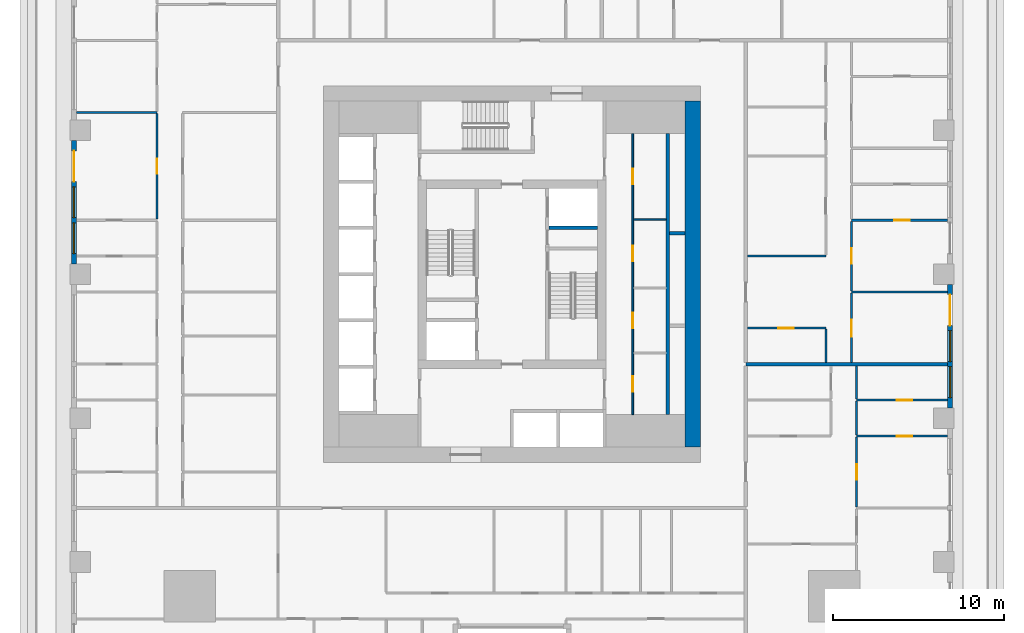
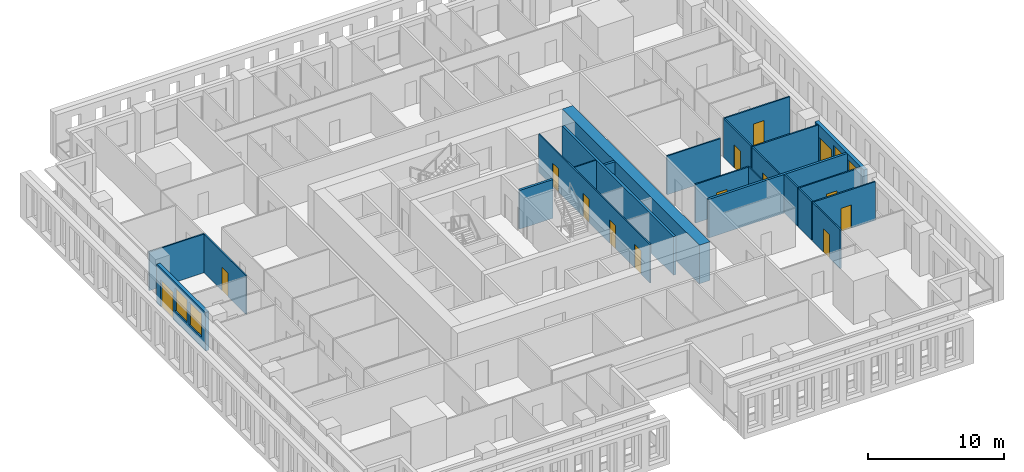
# One storey, part 6 of 15: 23 walls, 14 doors, 4 windows, 18 openings.
"""IFC4 building model written with IfcOpenShell, lengths in metres."""

from ifc_helpers import new_model, si_unit, direction, frame, frame_2d, origin, place, context, subcontext, project, spatial, rectangle, extrude, material, layer, layer_set, type_object, element, fill, save


model = new_model("IFC4")

# Units and contexts
model_context = context("Model", 3, precision=1e-05, world=origin(), true_north=direction((0.0, 1.0)))
body_context = subcontext(model_context, "Body", "Model", "MODEL_VIEW")
ifc_project = project(units=[si_unit("LENGTHUNIT", "METRE"), si_unit("AREAUNIT", "SQUARE_METRE"), si_unit("VOLUMEUNIT", "CUBIC_METRE"), si_unit("PLANEANGLEUNIT", "RADIAN"), si_unit("MASSUNIT", "GRAM", prefix="KILO")], contexts=[model_context])

# Site, building, storey
site_placement = place(None, origin())
site = spatial("IfcSite", under=ifc_project, at=site_placement, CompositionType="ELEMENT")
building_placement = place(site_placement, origin())
building = spatial("IfcBuilding", under=site, at=building_placement, Name="Khepri Terraces", CompositionType="ELEMENT")
storey_placement = place(building_placement, frame((0.0, 0.0, 30.89990234375)))
storey = spatial("IfcBuildingStorey", under=building, at=storey_placement, Name="L06", CompositionType="ELEMENT", Elevation=30.89990234375)

# Walls
ifc_material_1 = material(Name="Concrete C80/95", Category="concrete")
ifc_layer_1 = layer(ifc_material_1, 0.199951171875, Name="Concrete C80/95", Category="concrete")
ifc_layer_set_1 = layer_set([ifc_layer_1], Name="Concrete C80/95")
wall_type_1 = type_object("IfcWallType", Name="Core wall 200 C80/95", PredefinedType="SHEAR", material=ifc_layer_set_1)
wall_1_placement = place(storey_placement, frame((9.10009765625, -8.199951171875, 0.0), z_axis=(0.0, 0.0, 1.0), x_axis=(0.0, 1.0, 0.0)))
element("IfcWall", 1, at=wall_1_placement, inside=storey, type_object=wall_type_1, Name="Core wall SH05 L06", PredefinedType="SHEAR", context=body_context, shape_type="SweptSolid", body=[
    extrude(rectangle(XDim=16.39990234375, YDim=0.199951171875, at=frame_2d((8.199951171875, 0.0))), origin(), (0.0, 0.0, 1.0), 3.47998046875),
])
wall_2_placement = place(storey_placement, frame((9.199951171875, 2.39990234375, 0.0), z_axis=(0.0, 0.0, 1.0), x_axis=(1.0, 0.0, 0.0)))
element("IfcWall", 2, at=wall_2_placement, inside=storey, type_object=wall_type_1, Name="Core wall SH16 L06", PredefinedType="SHEAR", context=body_context, shape_type="SweptSolid", body=[
    extrude(rectangle(XDim=0.900146484375, YDim=0.199951171875, at=frame_2d((0.4501953125, 0.0))), origin(), (0.0, 0.0, 1.0), 3.47998046875),
])
wall_3_placement = place(storey_placement, frame((2.14990234375, 2.699951171875, 0.0), z_axis=(0.0, 0.0, 1.0), x_axis=(1.0, 0.0, 0.0)))
element("IfcWall", 3, at=wall_3_placement, inside=storey, type_object=wall_type_1, Name="Core wall SH18 L06", PredefinedType="SHEAR", context=body_context, shape_type="SweptSolid", body=[
    extrude(rectangle(XDim=2.85009765625, YDim=0.199951171875, at=frame_2d((1.425048828125, 0.0))), origin(), (0.0, 0.0, 1.0), 3.47998046875),
])
ifc_layer_2 = layer(ifc_material_1, 0.89990234375, Name="Concrete C80/95", Category="concrete")
ifc_layer_set_2 = layer_set([ifc_layer_2], Name="Concrete C80/95")
wall_type_2 = type_object("IfcWallType", Name="Core wall 900 C80/95", PredefinedType="SHEAR", material=ifc_layer_set_2)
wall_4_placement = place(storey_placement, frame((10.550048828125, -10.10009765625, 0.0), z_axis=(0.0, 0.0, 1.0), x_axis=(0.0, 1.0, 0.0)))
element("IfcWall", 4, at=wall_4_placement, inside=storey, type_object=wall_type_2, Name="Core wall OW-E L06", PredefinedType="SHEAR", context=body_context, shape_type="SweptSolid", body=[
    extrude(rectangle(XDim=20.2001953125, YDim=0.89990234375, at=frame_2d((10.10009765625, 0.0))), origin(), (0.0, 0.0, 1.0), 3.47998046875),
])

# Wall, openings, doors
ifc_material_2 = material(Name="Fire-rated gypsum board partition")
ifc_layer_3 = layer(ifc_material_2, 0.10009765625, Name="Fire-rated gypsum board partition")
ifc_layer_set_3 = layer_set([ifc_layer_3], Name="Fire-rated gypsum board partition")
wall_type_3 = type_object("IfcWallType", Name="WL-CORE-PART-100", PredefinedType="PARTITIONING", material=ifc_layer_set_3)
wall_5_placement = place(storey_placement, frame((7.050048828125, -8.199951171875, 0.0), z_axis=(0.0, 0.0, 1.0), x_axis=(0.0, 1.0, 0.0)))
wall_5 = element("IfcWall", 5, at=wall_5_placement, inside=storey, type_object=wall_type_3, Name="Core partition PT02 L06", PredefinedType="PARTITIONING", context=body_context, shape_type="SweptSolid", body=[
    extrude(rectangle(XDim=16.39990234375, YDim=0.10009765625, at=frame_2d((8.199951171875, 0.0))), origin(), (0.0, 0.0, 1.0), 3.47998046875),
])
opening_1_placement = place(wall_5_placement, frame((1.35009765625, 0.0, 0.0)))
opening_1 = element("IfcOpeningElement", 6, at=opening_1_placement, cuts=wall_5, Name="Opening L06-C22", PredefinedType="OPENING", context=body_context, shape_type="SweptSolid", body=[
    extrude(rectangle(XDim=0.89990234375, YDim=2.10009765625, at=frame_2d((0.449951171875, 1.050048828125))), frame((0.0, 0.06005859375, 0.0), z_axis=(0.0, -1.0, 0.0), x_axis=(1.0, 0.0, 0.0)), (0.0, 0.0, 1.0), 0.1201171875),
])
opening_2_placement = place(wall_5_placement, frame((5.050048828125, 0.0, 0.0)))
opening_2 = element("IfcOpeningElement", 7, at=opening_2_placement, cuts=wall_5, Name="Opening L06-C23", PredefinedType="OPENING", context=body_context, shape_type="SweptSolid", body=[
    extrude(rectangle(XDim=0.89990234375, YDim=2.10009765625, at=frame_2d((0.449951171875, 1.050048828125))), frame((0.0, 0.06005859375, 0.0), z_axis=(0.0, -1.0, 0.0), x_axis=(1.0, 0.0, 0.0)), (0.0, 0.0, 1.0), 0.1201171875),
])
opening_3_placement = place(wall_5_placement, frame((8.949951171875, 0.0, 0.0)))
opening_3 = element("IfcOpeningElement", 8, at=opening_3_placement, cuts=wall_5, Name="Opening L06-C24", PredefinedType="OPENING", context=body_context, shape_type="SweptSolid", body=[
    extrude(rectangle(XDim=0.89990234375, YDim=2.10009765625, at=frame_2d((0.449951171875, 1.050048828125))), frame((0.0, 0.06005859375, 0.0), z_axis=(0.0, -1.0, 0.0), x_axis=(1.0, 0.0, 0.0)), (0.0, 0.0, 1.0), 0.1201171875),
])
opening_4_placement = place(wall_5_placement, frame((13.449951171875, 0.0, 0.0)))
opening_4 = element("IfcOpeningElement", 9, at=opening_4_placement, cuts=wall_5, Name="Opening L06-C25", PredefinedType="OPENING", context=body_context, shape_type="SweptSolid", body=[
    extrude(rectangle(XDim=0.89990234375, YDim=2.10009765625, at=frame_2d((0.449951171875, 1.050048828125))), frame((0.0, 0.06005859375, 0.0), z_axis=(0.0, -1.0, 0.0), x_axis=(1.0, 0.0, 0.0)), (0.0, 0.0, 1.0), 0.1201171875),
])
ifc_material_3 = material(Name="Painted steel", Category="steel")
door_type_1 = type_object("IfcDoorType", Name="DR-CORE-SERVICE-900", OperationType="NOTDEFINED", PredefinedType="DOOR", material=ifc_material_3)
door_1_placement = place(opening_1_placement, frame((0.89990234375, 0.0, 0.0), z_axis=(0.0, 0.0, 1.0), x_axis=(-1.0, 0.0, 0.0)))
door_1 = element("IfcDoor", 10, at=door_1_placement, inside=storey, type_object=door_type_1, Name="Service room door L06-C22", OperationType="SINGLE_SWING_RIGHT", OverallHeight=2.10009765625, OverallWidth=0.89990234375, PredefinedType="DOOR", context=body_context, shape_type="SweptSolid", body=[
    extrude(rectangle(XDim=0.89990234375, YDim=2.10009765625, at=frame_2d((0.449951171875, 1.050048828125))), frame((0.0, 0.02490234375, 0.0), z_axis=(0.0, -1.0, 0.0), x_axis=(1.0, 0.0, 0.0)), (0.0, 0.0, 1.0), 0.050048828125),
])
fill(opening_1, door_1)
door_2_placement = place(opening_2_placement, frame((0.89990234375, 0.0, 0.0), z_axis=(0.0, 0.0, 1.0), x_axis=(-1.0, 0.0, 0.0)))
door_2 = element("IfcDoor", 11, at=door_2_placement, inside=storey, type_object=door_type_1, Name="Service room door L06-C23", OperationType="SINGLE_SWING_RIGHT", OverallHeight=2.10009765625, OverallWidth=0.89990234375, PredefinedType="DOOR", context=body_context, shape_type="SweptSolid", body=[
    extrude(rectangle(XDim=0.89990234375, YDim=2.10009765625, at=frame_2d((0.449951171875, 1.050048828125))), frame((0.0, 0.02490234375, 0.0), z_axis=(0.0, -1.0, 0.0), x_axis=(1.0, 0.0, 0.0)), (0.0, 0.0, 1.0), 0.050048828125),
])
fill(opening_2, door_2)
door_3_placement = place(opening_3_placement, frame((0.89990234375, 0.0, 0.0), z_axis=(0.0, 0.0, 1.0), x_axis=(-1.0, 0.0, 0.0)))
door_3 = element("IfcDoor", 12, at=door_3_placement, inside=storey, type_object=door_type_1, Name="Service room door L06-C24", OperationType="SINGLE_SWING_LEFT", OverallHeight=2.10009765625, OverallWidth=0.89990234375, PredefinedType="DOOR", context=body_context, shape_type="SweptSolid", body=[
    extrude(rectangle(XDim=0.89990234375, YDim=2.10009765625, at=frame_2d((0.449951171875, 1.050048828125))), frame((0.0, 0.02490234375, 0.0), z_axis=(0.0, -1.0, 0.0), x_axis=(1.0, 0.0, 0.0)), (0.0, 0.0, 1.0), 0.050048828125),
])
fill(opening_3, door_3)
door_4_placement = place(opening_4_placement, frame((0.89990234375, 0.0, 0.0), z_axis=(0.0, 0.0, 1.0), x_axis=(-1.0, 0.0, 0.0)))
door_4 = element("IfcDoor", 13, at=door_4_placement, inside=storey, type_object=door_type_1, Name="Service room door L06-C25", OperationType="SINGLE_SWING_LEFT", OverallHeight=2.10009765625, OverallWidth=0.89990234375, PredefinedType="DOOR", context=body_context, shape_type="SweptSolid", body=[
    extrude(rectangle(XDim=0.89990234375, YDim=2.10009765625, at=frame_2d((0.449951171875, 1.050048828125))), frame((0.0, 0.02490234375, 0.0), z_axis=(0.0, -1.0, 0.0), x_axis=(1.0, 0.0, 0.0)), (0.0, 0.0, 1.0), 0.050048828125),
])
fill(opening_4, door_4)

# Walls
wall_6_placement = place(storey_placement, frame((7.10009765625, 3.199951171875, 0.0), z_axis=(0.0, 0.0, 1.0), x_axis=(1.0, 0.0, 0.0)))
element("IfcWall", 14, at=wall_6_placement, inside=storey, type_object=wall_type_3, Name="Core partition PT06 L06", PredefinedType="PARTITIONING", context=body_context, shape_type="SweptSolid", body=[
    extrude(rectangle(XDim=1.89990234375, YDim=0.10009765625, at=frame_2d((0.949951171875, 0.0))), origin(), (0.0, 0.0, 1.0), 3.47998046875),
])
ifc_material_4 = material(Name="Fire-rated gypsum plasterboard partition, mineral wool")
ifc_layer_4 = layer(ifc_material_4, 0.199951171875, Name="Fire-rated gypsum plasterboard partition, mineral wool")
ifc_layer_set_4 = layer_set([ifc_layer_4], Name="Fire-rated gypsum plasterboard partition, mineral wool")
wall_type_4 = type_object("IfcWallType", Name="WL-CORR-200", PredefinedType="PARTITIONING", material=ifc_layer_set_4)
wall_7_placement = place(storey_placement, frame((13.64990234375, -5.25, 0.0), z_axis=(0.0, 0.0, 1.0), x_axis=(1.0, 0.0, 0.0)))
element("IfcWall", 15, at=wall_7_placement, inside=storey, type_object=wall_type_4, Name="Partition P-046 L06", PredefinedType="PARTITIONING", context=body_context, shape_type="SweptSolid", body=[
    extrude(rectangle(XDim=11.77001953125, YDim=0.199951171875, at=frame_2d((5.885009765625, 0.0))), origin(), (0.0, 0.0, 1.0), 3.47998046875),
])

# Wall, openings, door, windows
ifc_material_5 = material(Name="Precast concrete C50/60 warm stone", Category="masonry")
ifc_layer_5 = layer(ifc_material_5, 0.300048828125, Name="Precast concrete C50/60 warm stone", Category="masonry")
ifc_layer_set_5 = layer_set([ifc_layer_5], Name="Precast concrete C50/60 warm stone")
wall_type_5 = type_object("IfcWallType", Name="WL-EXT-PRECAST-300", PredefinedType="STANDARD", material=ifc_layer_set_5)
wall_8_placement = place(storey_placement, frame((25.570068359375, -7.800048828125, 0.0), z_axis=(0.0, 0.0, 1.0), x_axis=(0.0, 1.0, 0.0)))
wall_8 = element("IfcWall", 16, at=wall_8_placement, inside=storey, type_object=wall_type_5, Name="External wall L06 E", PredefinedType="STANDARD", context=body_context, shape_type="SweptSolid", body=[
    extrude(rectangle(XDim=7.199951171875, YDim=0.300048828125, at=frame_2d((3.60009765625, 0.0))), origin(), (0.0, 0.0, 1.0), 3.47998046875),
])
opening_5_placement = place(wall_8_placement, frame((0.60009765625, 0.0, 0.89990234375)))
opening_5 = element("IfcOpeningElement", 17, at=opening_5_placement, cuts=wall_8, Name="Opening W1", PredefinedType="OPENING", context=body_context, shape_type="SweptSolid", body=[
    extrude(rectangle(XDim=1.800048828125, YDim=2.10009765625, at=frame_2d((0.89990234375, 1.050048828125))), frame((0.0, 0.16015625, 0.0), z_axis=(0.0, -1.0, 0.0), x_axis=(1.0, 0.0, 0.0)), (0.0, 0.0, 1.0), 0.320068359375),
])
opening_6_placement = place(wall_8_placement, frame((2.699951171875, 0.0, 0.89990234375)))
opening_6 = element("IfcOpeningElement", 18, at=opening_6_placement, cuts=wall_8, Name="Opening W1", PredefinedType="OPENING", context=body_context, shape_type="SweptSolid", body=[
    extrude(rectangle(XDim=1.800048828125, YDim=2.10009765625, at=frame_2d((0.89990234375, 1.050048828125))), frame((0.0, 0.16015625, 0.0), z_axis=(0.0, -1.0, 0.0), x_axis=(1.0, 0.0, 0.0)), (0.0, 0.0, 1.0), 0.320068359375),
])
opening_7_placement = place(wall_8_placement, frame((4.800048828125, 0.0, 0.0)))
opening_7 = element("IfcOpeningElement", 19, at=opening_7_placement, cuts=wall_8, Name="Opening ED-L06-04", PredefinedType="OPENING", context=body_context, shape_type="SweptSolid", body=[
    extrude(rectangle(XDim=1.800048828125, YDim=2.39990234375, at=frame_2d((0.89990234375, 1.199951171875))), frame((0.0, 0.16015625, 0.0), z_axis=(0.0, -1.0, 0.0), x_axis=(1.0, 0.0, 0.0)), (0.0, 0.0, 1.0), 0.320068359375),
])
ifc_material_6 = material(Name="Anodised aluminium bronze glazed door", Category="aluminium")
door_type_2 = type_object("IfcDoorType", Name="DR-BAL-SLIDE-1800x2400", OperationType="NOTDEFINED", PredefinedType="DOOR", material=ifc_material_6)
door_5_placement = place(opening_7_placement, origin())
door_5 = element("IfcDoor", 20, at=door_5_placement, inside=storey, type_object=door_type_2, Name="Balcony door L06 E", OperationType="SLIDING_TO_RIGHT", OverallHeight=2.39990234375, OverallWidth=1.800048828125, PredefinedType="DOOR", context=body_context, shape_type="SweptSolid", body=[
    extrude(rectangle(XDim=1.800048828125, YDim=2.39990234375, at=frame_2d((0.89990234375, 1.199951171875))), frame((0.0, 0.02490234375, 0.0), z_axis=(0.0, -1.0, 0.0), x_axis=(1.0, 0.0, 0.0)), (0.0, 0.0, 1.0), 0.050048828125),
])
fill(opening_7, door_5)
ifc_material_7 = material(Name="Clear glass", Category="glass")
window_type = type_object("IfcWindowType", Name="WIN-RES-1800x2100", PartitioningType="SINGLE_PANEL", PredefinedType="WINDOW", material=ifc_material_7)
window_1_placement = place(opening_5_placement, origin())
window_1 = element("IfcWindow", 21, at=window_1_placement, inside=storey, type_object=window_type, Name="Window L06 E", OverallHeight=2.10009765625, OverallWidth=1.800048828125, PartitioningType="SINGLE_PANEL", PredefinedType="WINDOW", context=body_context, shape_type="SweptSolid", body=[
    extrude(rectangle(XDim=1.800048828125, YDim=2.10009765625, at=frame_2d((0.89990234375, 1.050048828125))), frame((0.0, 0.030029296875, 0.0), z_axis=(0.0, -1.0, 0.0), x_axis=(1.0, 0.0, 0.0)), (0.0, 0.0, 1.0), 0.06005859375),
])
fill(opening_5, window_1)
window_2_placement = place(opening_6_placement, origin())
window_2 = element("IfcWindow", 22, at=window_2_placement, inside=storey, type_object=window_type, Name="Window L06 E", OverallHeight=2.10009765625, OverallWidth=1.800048828125, PartitioningType="SINGLE_PANEL", PredefinedType="WINDOW", context=body_context, shape_type="SweptSolid", body=[
    extrude(rectangle(XDim=1.800048828125, YDim=2.10009765625, at=frame_2d((0.89990234375, 1.050048828125))), frame((0.0, 0.030029296875, 0.0), z_axis=(0.0, -1.0, 0.0), x_axis=(1.0, 0.0, 0.0)), (0.0, 0.0, 1.0), 0.06005859375),
])
fill(opening_6, window_2)

wall_9_placement = place(storey_placement, frame((-25.570068359375, 7.800048828125, 0.0), z_axis=(0.0, 0.0, 1.0), x_axis=(0.0, -1.0, 0.0)))
wall_9 = element("IfcWall", 23, at=wall_9_placement, inside=storey, type_object=wall_type_5, Name="External wall L06 W", PredefinedType="STANDARD", context=body_context, shape_type="SweptSolid", body=[
    extrude(rectangle(XDim=7.199951171875, YDim=0.300048828125, at=frame_2d((3.60009765625, 0.0))), origin(), (0.0, 0.0, 1.0), 3.47998046875),
])
opening_8_placement = place(wall_9_placement, frame((0.60009765625, 0.0, 0.0)))
opening_8 = element("IfcOpeningElement", 24, at=opening_8_placement, cuts=wall_9, Name="Opening ED-L06-15", PredefinedType="OPENING", context=body_context, shape_type="SweptSolid", body=[
    extrude(rectangle(XDim=1.800048828125, YDim=2.39990234375, at=frame_2d((0.89990234375, 1.199951171875))), frame((0.0, 0.16015625, 0.0), z_axis=(0.0, -1.0, 0.0), x_axis=(1.0, 0.0, 0.0)), (0.0, 0.0, 1.0), 0.320068359375),
])
opening_9_placement = place(wall_9_placement, frame((2.699951171875, 0.0, 0.89990234375)))
opening_9 = element("IfcOpeningElement", 25, at=opening_9_placement, cuts=wall_9, Name="Opening W1", PredefinedType="OPENING", context=body_context, shape_type="SweptSolid", body=[
    extrude(rectangle(XDim=1.800048828125, YDim=2.10009765625, at=frame_2d((0.89990234375, 1.050048828125))), frame((0.0, 0.16015625, 0.0), z_axis=(0.0, -1.0, 0.0), x_axis=(1.0, 0.0, 0.0)), (0.0, 0.0, 1.0), 0.320068359375),
])
opening_10_placement = place(wall_9_placement, frame((4.800048828125, 0.0, 0.89990234375)))
opening_10 = element("IfcOpeningElement", 26, at=opening_10_placement, cuts=wall_9, Name="Opening W1", PredefinedType="OPENING", context=body_context, shape_type="SweptSolid", body=[
    extrude(rectangle(XDim=1.800048828125, YDim=2.10009765625, at=frame_2d((0.89990234375, 1.050048828125))), frame((0.0, 0.16015625, 0.0), z_axis=(0.0, -1.0, 0.0), x_axis=(1.0, 0.0, 0.0)), (0.0, 0.0, 1.0), 0.320068359375),
])
door_6_placement = place(opening_8_placement, origin())
door_6 = element("IfcDoor", 27, at=door_6_placement, inside=storey, type_object=door_type_2, Name="Balcony door L06 W", OperationType="SLIDING_TO_LEFT", OverallHeight=2.39990234375, OverallWidth=1.800048828125, PredefinedType="DOOR", context=body_context, shape_type="SweptSolid", body=[
    extrude(rectangle(XDim=1.800048828125, YDim=2.39990234375, at=frame_2d((0.89990234375, 1.199951171875))), frame((0.0, 0.02490234375, 0.0), z_axis=(0.0, -1.0, 0.0), x_axis=(1.0, 0.0, 0.0)), (0.0, 0.0, 1.0), 0.050048828125),
])
fill(opening_8, door_6)
window_3_placement = place(opening_9_placement, origin())
window_3 = element("IfcWindow", 28, at=window_3_placement, inside=storey, type_object=window_type, Name="Window L06 W", OverallHeight=2.10009765625, OverallWidth=1.800048828125, PartitioningType="SINGLE_PANEL", PredefinedType="WINDOW", context=body_context, shape_type="SweptSolid", body=[
    extrude(rectangle(XDim=1.800048828125, YDim=2.10009765625, at=frame_2d((0.89990234375, 1.050048828125))), frame((0.0, 0.030029296875, 0.0), z_axis=(0.0, -1.0, 0.0), x_axis=(1.0, 0.0, 0.0)), (0.0, 0.0, 1.0), 0.06005859375),
])
fill(opening_9, window_3)
window_4_placement = place(opening_10_placement, origin())
window_4 = element("IfcWindow", 29, at=window_4_placement, inside=storey, type_object=window_type, Name="Window L06 W", OverallHeight=2.10009765625, OverallWidth=1.800048828125, PartitioningType="SINGLE_PANEL", PredefinedType="WINDOW", context=body_context, shape_type="SweptSolid", body=[
    extrude(rectangle(XDim=1.800048828125, YDim=2.10009765625, at=frame_2d((0.89990234375, 1.050048828125))), frame((0.0, 0.030029296875, 0.0), z_axis=(0.0, -1.0, 0.0), x_axis=(1.0, 0.0, 0.0)), (0.0, 0.0, 1.0), 0.06005859375),
])
fill(opening_10, window_4)

# Wall, opening, door
ifc_material_8 = material(Name="Gypsum plasterboard partition")
ifc_layer_6 = layer(ifc_material_8, 0.1201171875, Name="Gypsum plasterboard partition")
ifc_layer_set_6 = layer_set([ifc_layer_6], Name="Gypsum plasterboard partition")
wall_type_6 = type_object("IfcWallType", Name="WL-PART-120", PredefinedType="PARTITIONING", material=ifc_layer_set_6)
wall_10_placement = place(storey_placement, frame((20.1201171875, -13.590087890625, 0.0), z_axis=(0.0, 0.0, 1.0), x_axis=(0.0, 1.0, 0.0)))
wall_10 = element("IfcWall", 30, at=wall_10_placement, inside=storey, type_object=wall_type_6, Name="Partition P-024 L06", PredefinedType="PARTITIONING", context=body_context, shape_type="SweptSolid", body=[
    extrude(rectangle(XDim=4.080078125, YDim=0.1201171875, at=frame_2d((2.0400390625, 0.0))), origin(), (0.0, 0.0, 1.0), 3.47998046875),
])
opening_11_placement = place(wall_10_placement, frame((1.590087890625, 0.0, 0.0)))
opening_11 = element("IfcOpeningElement", 31, at=opening_11_placement, cuts=wall_10, Name="Opening D3", PredefinedType="OPENING", context=body_context, shape_type="SweptSolid", body=[
    extrude(rectangle(XDim=0.89990234375, YDim=2.10009765625, at=frame_2d((0.449951171875, 1.050048828125))), frame((0.0, 0.070068359375, 0.0), z_axis=(0.0, -1.0, 0.0), x_axis=(1.0, 0.0, 0.0)), (0.0, 0.0, 1.0), 0.14013671875),
])
ifc_material_9 = material(Name="Timber door leaf", Category="wood")
door_type_3 = type_object("IfcDoorType", Name="DR-INT-900", OperationType="NOTDEFINED", PredefinedType="DOOR", material=ifc_material_9)
door_7_placement = place(opening_11_placement, frame((0.89990234375, 0.0, 0.0), z_axis=(0.0, 0.0, 1.0), x_axis=(-1.0, 0.0, 0.0)))
door_7 = element("IfcDoor", 32, at=door_7_placement, inside=storey, type_object=door_type_3, Name="Door Master Bedroom", OperationType="SINGLE_SWING_RIGHT", OverallHeight=2.10009765625, OverallWidth=0.89990234375, PredefinedType="DOOR", context=body_context, shape_type="SweptSolid", body=[
    extrude(rectangle(XDim=0.89990234375, YDim=2.10009765625, at=frame_2d((0.449951171875, 1.050048828125))), frame((0.0, 0.02490234375, 0.0), z_axis=(0.0, -1.0, 0.0), x_axis=(1.0, 0.0, 0.0)), (0.0, 0.0, 1.0), 0.050048828125),
])
fill(opening_11, door_7)

wall_11_placement = place(storey_placement, frame((20.1201171875, -9.449951171875, 0.0), z_axis=(0.0, 0.0, 1.0), x_axis=(1.0, 0.0, 0.0)))
wall_11 = element("IfcWall", 33, at=wall_11_placement, inside=storey, type_object=wall_type_6, Name="Partition P-034 L06", PredefinedType="PARTITIONING", context=body_context, shape_type="SweptSolid", body=[
    extrude(rectangle(XDim=5.2998046875, YDim=0.1201171875, at=frame_2d((2.64990234375, 0.0))), origin(), (0.0, 0.0, 1.0), 3.47998046875),
])
opening_12_placement = place(wall_11_placement, frame((2.35009765625, 0.0, 0.0)))
opening_12 = element("IfcOpeningElement", 34, at=opening_12_placement, cuts=wall_11, Name="Opening D3", PredefinedType="OPENING", context=body_context, shape_type="SweptSolid", body=[
    extrude(rectangle(XDim=0.89990234375, YDim=2.10009765625, at=frame_2d((0.449951171875, 1.050048828125))), frame((0.0, 0.070068359375, 0.0), z_axis=(0.0, -1.0, 0.0), x_axis=(1.0, 0.0, 0.0)), (0.0, 0.0, 1.0), 0.14013671875),
])
door_8_placement = place(opening_12_placement, origin())
door_8 = element("IfcDoor", 35, at=door_8_placement, inside=storey, type_object=door_type_3, Name="Door Dressing Room", OperationType="SINGLE_SWING_RIGHT", OverallHeight=2.10009765625, OverallWidth=0.89990234375, PredefinedType="DOOR", context=body_context, shape_type="SweptSolid", body=[
    extrude(rectangle(XDim=0.89990234375, YDim=2.10009765625, at=frame_2d((0.449951171875, 1.050048828125))), frame((0.0, 0.02490234375, 0.0), z_axis=(0.0, -1.0, 0.0), x_axis=(1.0, 0.0, 0.0)), (0.0, 0.0, 1.0), 0.050048828125),
])
fill(opening_12, door_8)

# Wall
wall_12_placement = place(storey_placement, frame((20.1201171875, -9.389892578125, 0.0), z_axis=(0.0, 0.0, 1.0), x_axis=(0.0, 1.0, 0.0)))
element("IfcWall", 36, at=wall_12_placement, inside=storey, type_object=wall_type_6, Name="Partition P-036 L06", PredefinedType="PARTITIONING", context=body_context, shape_type="SweptSolid", body=[
    extrude(rectangle(XDim=1.97998046875, YDim=0.1201171875, at=frame_2d((0.989990234375, 0.0))), origin(), (0.0, 0.0, 1.0), 3.47998046875),
])

# Wall, opening, door
wall_13_placement = place(storey_placement, frame((20.1201171875, -7.35009765625, 0.0), z_axis=(0.0, 0.0, 1.0), x_axis=(1.0, 0.0, 0.0)))
wall_13 = element("IfcWall", 37, at=wall_13_placement, inside=storey, type_object=wall_type_6, Name="Partition P-039 L06", PredefinedType="PARTITIONING", context=body_context, shape_type="SweptSolid", body=[
    extrude(rectangle(XDim=5.2998046875, YDim=0.1201171875, at=frame_2d((2.64990234375, 0.0))), origin(), (0.0, 0.0, 1.0), 3.47998046875),
])
opening_13_placement = place(wall_13_placement, frame((2.35009765625, 0.0, 0.0)))
opening_13 = element("IfcOpeningElement", 38, at=opening_13_placement, cuts=wall_13, Name="Opening D4", PredefinedType="OPENING", context=body_context, shape_type="SweptSolid", body=[
    extrude(rectangle(XDim=0.89990234375, YDim=2.10009765625, at=frame_2d((0.449951171875, 1.050048828125))), frame((0.0, 0.070068359375, 0.0), z_axis=(0.0, -1.0, 0.0), x_axis=(1.0, 0.0, 0.0)), (0.0, 0.0, 1.0), 0.14013671875),
])
ifc_material_10 = material(Name="Timber door leaf, moisture resistant", Category="wood")
door_type_4 = type_object("IfcDoorType", Name="DR-WET-900", OperationType="NOTDEFINED", PredefinedType="DOOR", material=ifc_material_10)
door_9_placement = place(opening_13_placement, origin())
door_9 = element("IfcDoor", 39, at=door_9_placement, inside=storey, type_object=door_type_4, Name="Door Bathroom", OperationType="SINGLE_SWING_RIGHT", OverallHeight=2.10009765625, OverallWidth=0.89990234375, PredefinedType="DOOR", context=body_context, shape_type="SweptSolid", body=[
    extrude(rectangle(XDim=0.89990234375, YDim=2.10009765625, at=frame_2d((0.449951171875, 1.050048828125))), frame((0.0, 0.02490234375, 0.0), z_axis=(0.0, -1.0, 0.0), x_axis=(1.0, 0.0, 0.0)), (0.0, 0.0, 1.0), 0.050048828125),
])
fill(opening_13, door_9)

# Walls
for number, where, z_axis, x_axis, name in (
    (40, (20.1201171875, -7.2900390625, 0.0), (0.0, 0.0, 1.0), (0.0, 1.0, 0.0), "Partition P-042 L06"),
    (41, (18.320068359375, -5.14990234375, 0.0), (0.0, 0.0, 1.0), (0.0, 1.0, 0.0), "Partition P-049 L06"),
):
    element("IfcWall", number, at=place(storey_placement, frame(where, z_axis=z_axis, x_axis=x_axis)), inside=storey, type_object=wall_type_6, Name=name, PredefinedType="PARTITIONING", context=body_context, shape_type="SweptSolid", body=[
        extrude(rectangle(XDim=1.93994140625, YDim=0.1201171875, at=frame_2d((0.969970703125, 0.0))), origin(), (0.0, 0.0, 1.0), 3.47998046875),
    ])

# Wall, opening, door
wall_14_placement = place(storey_placement, frame((19.820068359375, -5.14990234375, 0.0), z_axis=(0.0, 0.0, 1.0), x_axis=(0.0, 1.0, 0.0)))
wall_14 = element("IfcWall", 42, at=wall_14_placement, inside=storey, type_object=wall_type_6, Name="Partition P-050 L06", PredefinedType="PARTITIONING", context=body_context, shape_type="SweptSolid", body=[
    extrude(rectangle(XDim=4.039794921875, YDim=0.1201171875, at=frame_2d((2.02001953125, 0.0))), origin(), (0.0, 0.0, 1.0), 3.47998046875),
])
opening_14_placement = place(wall_14_placement, frame((1.5, 0.0, 0.0)))
opening_14 = element("IfcOpeningElement", 43, at=opening_14_placement, cuts=wall_14, Name="Opening D2", PredefinedType="OPENING", context=body_context, shape_type="SweptSolid", body=[
    extrude(rectangle(XDim=1.0, YDim=2.10009765625, at=frame_2d((0.5, 1.050048828125))), frame((0.0, 0.070068359375, 0.0), z_axis=(0.0, -1.0, 0.0), x_axis=(1.0, 0.0, 0.0)), (0.0, 0.0, 1.0), 0.14013671875),
])
ifc_material_11 = material(Name="Timber door leaf, living room door", Category="wood")
door_type_5 = type_object("IfcDoorType", Name="DR-INT-1000", OperationType="NOTDEFINED", PredefinedType="DOOR", material=ifc_material_11)
door_10_placement = place(opening_14_placement, frame((1.0, 0.0, 0.0), z_axis=(0.0, 0.0, 1.0), x_axis=(-1.0, 0.0, 0.0)))
door_10 = element("IfcDoor", 44, at=door_10_placement, inside=storey, type_object=door_type_5, Name="Door Living Room", OperationType="SINGLE_SWING_RIGHT", OverallHeight=2.10009765625, OverallWidth=1.0, PredefinedType="DOOR", context=body_context, shape_type="SweptSolid", body=[
    extrude(rectangle(XDim=1.0, YDim=2.10009765625, at=frame_2d((0.5, 1.050048828125))), frame((0.0, 0.02490234375, 0.0), z_axis=(0.0, -1.0, 0.0), x_axis=(1.0, 0.0, 0.0)), (0.0, 0.0, 1.0), 0.050048828125),
])
fill(opening_14, door_10)

wall_15_placement = place(storey_placement, frame((13.75, -3.14990234375, 0.0), z_axis=(0.0, 0.0, 1.0), x_axis=(1.0, 0.0, 0.0)))
wall_15 = element("IfcWall", 45, at=wall_15_placement, inside=storey, type_object=wall_type_6, Name="Partition P-053 L06", PredefinedType="PARTITIONING", context=body_context, shape_type="SweptSolid", body=[
    extrude(rectangle(XDim=4.570068359375, YDim=0.1201171875, at=frame_2d((2.28515625, 0.0))), origin(), (0.0, 0.0, 1.0), 3.47998046875),
])
opening_15_placement = place(wall_15_placement, frame((1.784912109375, 0.0, 0.0)))
opening_15 = element("IfcOpeningElement", 46, at=opening_15_placement, cuts=wall_15, Name="Opening D3", PredefinedType="OPENING", context=body_context, shape_type="SweptSolid", body=[
    extrude(rectangle(XDim=0.89990234375, YDim=2.10009765625, at=frame_2d((0.449951171875, 1.050048828125))), frame((0.0, 0.070068359375, 0.0), z_axis=(0.0, -1.0, 0.0), x_axis=(1.0, 0.0, 0.0)), (0.0, 0.0, 1.0), 0.14013671875),
])
door_11_placement = place(opening_15_placement, frame((0.89990234375, 0.0, 0.0), z_axis=(0.0, 0.0, 1.0), x_axis=(-1.0, 0.0, 0.0)))
door_11 = element("IfcDoor", 47, at=door_11_placement, inside=storey, type_object=door_type_3, Name="Door Utility Room", OperationType="SINGLE_SWING_RIGHT", OverallHeight=2.10009765625, OverallWidth=0.89990234375, PredefinedType="DOOR", context=body_context, shape_type="SweptSolid", body=[
    extrude(rectangle(XDim=0.89990234375, YDim=2.10009765625, at=frame_2d((0.449951171875, 1.050048828125))), frame((0.0, 0.02490234375, 0.0), z_axis=(0.0, -1.0, 0.0), x_axis=(1.0, 0.0, 0.0)), (0.0, 0.0, 1.0), 0.050048828125),
])
fill(opening_15, door_11)

# Wall
wall_16_placement = place(storey_placement, frame((19.820068359375, -1.050048828125, 0.0), z_axis=(0.0, 0.0, 1.0), x_axis=(1.0, 0.0, 0.0)))
element("IfcWall", 48, at=wall_16_placement, inside=storey, type_object=wall_type_6, Name="Partition P-056 L06", PredefinedType="PARTITIONING", context=body_context, shape_type="SweptSolid", body=[
    extrude(rectangle(XDim=5.599853515625, YDim=0.1201171875, at=frame_2d((2.7998046875, 0.0))), origin(), (0.0, 0.0, 1.0), 3.47998046875),
])

# Wall, opening, door
wall_17_placement = place(storey_placement, frame((19.820068359375, -0.989990234375, 0.0), z_axis=(0.0, 0.0, 1.0), x_axis=(0.0, 1.0, 0.0)))
wall_17 = element("IfcWall", 49, at=wall_17_placement, inside=storey, type_object=wall_type_6, Name="Partition P-059 L06", PredefinedType="PARTITIONING", context=body_context, shape_type="SweptSolid", body=[
    extrude(rectangle(XDim=4.080078125, YDim=0.1201171875, at=frame_2d((2.0400390625, 0.0))), origin(), (0.0, 0.0, 1.0), 3.47998046875),
])
opening_16_placement = place(wall_17_placement, frame((1.590087890625, 0.0, 0.0)))
opening_16 = element("IfcOpeningElement", 50, at=opening_16_placement, cuts=wall_17, Name="Opening D3", PredefinedType="OPENING", context=body_context, shape_type="SweptSolid", body=[
    extrude(rectangle(XDim=0.89990234375, YDim=2.10009765625, at=frame_2d((0.449951171875, 1.050048828125))), frame((0.0, 0.070068359375, 0.0), z_axis=(0.0, -1.0, 0.0), x_axis=(1.0, 0.0, 0.0)), (0.0, 0.0, 1.0), 0.14013671875),
])
door_12_placement = place(opening_16_placement, frame((0.89990234375, 0.0, 0.0), z_axis=(0.0, 0.0, 1.0), x_axis=(-1.0, 0.0, 0.0)))
door_12 = element("IfcDoor", 51, at=door_12_placement, inside=storey, type_object=door_type_3, Name="Door Master Bedroom", OperationType="SINGLE_SWING_LEFT", OverallHeight=2.10009765625, OverallWidth=0.89990234375, PredefinedType="DOOR", context=body_context, shape_type="SweptSolid", body=[
    extrude(rectangle(XDim=0.89990234375, YDim=2.10009765625, at=frame_2d((0.449951171875, 1.050048828125))), frame((0.0, 0.02490234375, 0.0), z_axis=(0.0, -1.0, 0.0), x_axis=(1.0, 0.0, 0.0)), (0.0, 0.0, 1.0), 0.050048828125),
])
fill(opening_16, door_12)

# Wall
wall_18_placement = place(storey_placement, frame((13.75, 1.050048828125, 0.0), z_axis=(0.0, 0.0, 1.0), x_axis=(1.0, 0.0, 0.0)))
element("IfcWall", 52, at=wall_18_placement, inside=storey, type_object=wall_type_6, Name="Partition P-061 L06", PredefinedType="PARTITIONING", context=body_context, shape_type="SweptSolid", body=[
    extrude(rectangle(XDim=4.570068359375, YDim=0.1201171875, at=frame_2d((2.28515625, 0.0))), origin(), (0.0, 0.0, 1.0), 3.47998046875),
])

# Wall, opening, door
wall_19_placement = place(storey_placement, frame((19.820068359375, 3.14990234375, 0.0), z_axis=(0.0, 0.0, 1.0), x_axis=(1.0, 0.0, 0.0)))
wall_19 = element("IfcWall", 53, at=wall_19_placement, inside=storey, type_object=wall_type_6, Name="Partition P-066 L06", PredefinedType="PARTITIONING", context=body_context, shape_type="SweptSolid", body=[
    extrude(rectangle(XDim=5.599853515625, YDim=0.1201171875, at=frame_2d((2.7998046875, 0.0))), origin(), (0.0, 0.0, 1.0), 3.47998046875),
])
opening_17_placement = place(wall_19_placement, frame((2.5, 0.0, 0.0)))
opening_17 = element("IfcOpeningElement", 54, at=opening_17_placement, cuts=wall_19, Name="Opening D3", PredefinedType="OPENING", context=body_context, shape_type="SweptSolid", body=[
    extrude(rectangle(XDim=0.89990234375, YDim=2.10009765625, at=frame_2d((0.449951171875, 1.050048828125))), frame((0.0, 0.070068359375, 0.0), z_axis=(0.0, -1.0, 0.0), x_axis=(1.0, 0.0, 0.0)), (0.0, 0.0, 1.0), 0.14013671875),
])
door_13_placement = place(opening_17_placement, origin())
door_13 = element("IfcDoor", 55, at=door_13_placement, inside=storey, type_object=door_type_3, Name="Door Dressing Room", OperationType="SINGLE_SWING_RIGHT", OverallHeight=2.10009765625, OverallWidth=0.89990234375, PredefinedType="DOOR", context=body_context, shape_type="SweptSolid", body=[
    extrude(rectangle(XDim=0.89990234375, YDim=2.10009765625, at=frame_2d((0.449951171875, 1.050048828125))), frame((0.0, 0.02490234375, 0.0), z_axis=(0.0, -1.0, 0.0), x_axis=(1.0, 0.0, 0.0)), (0.0, 0.0, 1.0), 0.050048828125),
])
fill(opening_17, door_13)

wall_20_placement = place(storey_placement, frame((-20.719970703125, 3.2099609375, 0.0), z_axis=(0.0, 0.0, 1.0), x_axis=(0.0, 1.0, 0.0)))
wall_20 = element("IfcWall", 56, at=wall_20_placement, inside=storey, type_object=wall_type_6, Name="Partition P-067 L06", PredefinedType="PARTITIONING", context=body_context, shape_type="SweptSolid", body=[
    extrude(rectangle(XDim=6.179931640625, YDim=0.1201171875, at=frame_2d((3.08984375, 0.0))), origin(), (0.0, 0.0, 1.0), 3.47998046875),
])
opening_18_placement = place(wall_20_placement, frame((2.639892578125, 0.0, 0.0)))
opening_18 = element("IfcOpeningElement", 57, at=opening_18_placement, cuts=wall_20, Name="Opening D3", PredefinedType="OPENING", context=body_context, shape_type="SweptSolid", body=[
    extrude(rectangle(XDim=0.89990234375, YDim=2.10009765625, at=frame_2d((0.449951171875, 1.050048828125))), frame((0.0, 0.070068359375, 0.0), z_axis=(0.0, -1.0, 0.0), x_axis=(1.0, 0.0, 0.0)), (0.0, 0.0, 1.0), 0.14013671875),
])
door_14_placement = place(opening_18_placement, origin())
door_14 = element("IfcDoor", 58, at=door_14_placement, inside=storey, type_object=door_type_3, Name="Door Master Bedroom", OperationType="SINGLE_SWING_LEFT", OverallHeight=2.10009765625, OverallWidth=0.89990234375, PredefinedType="DOOR", context=body_context, shape_type="SweptSolid", body=[
    extrude(rectangle(XDim=0.89990234375, YDim=2.10009765625, at=frame_2d((0.449951171875, 1.050048828125))), frame((0.0, 0.02490234375, 0.0), z_axis=(0.0, -1.0, 0.0), x_axis=(1.0, 0.0, 0.0)), (0.0, 0.0, 1.0), 0.050048828125),
])
fill(opening_18, door_14)

# Wall
wall_21_placement = place(storey_placement, frame((-25.419921875, 9.449951171875, 0.0), z_axis=(0.0, 0.0, 1.0), x_axis=(1.0, 0.0, 0.0)))
element("IfcWall", 59, at=wall_21_placement, inside=storey, type_object=wall_type_6, Name="Partition P-076 L06", PredefinedType="PARTITIONING", context=body_context, shape_type="SweptSolid", body=[
    extrude(rectangle(XDim=4.699951171875, YDim=0.1201171875, at=frame_2d((2.35009765625, 0.0))), origin(), (0.0, 0.0, 1.0), 3.47998046875),
])

save(model, "model.ifc")
